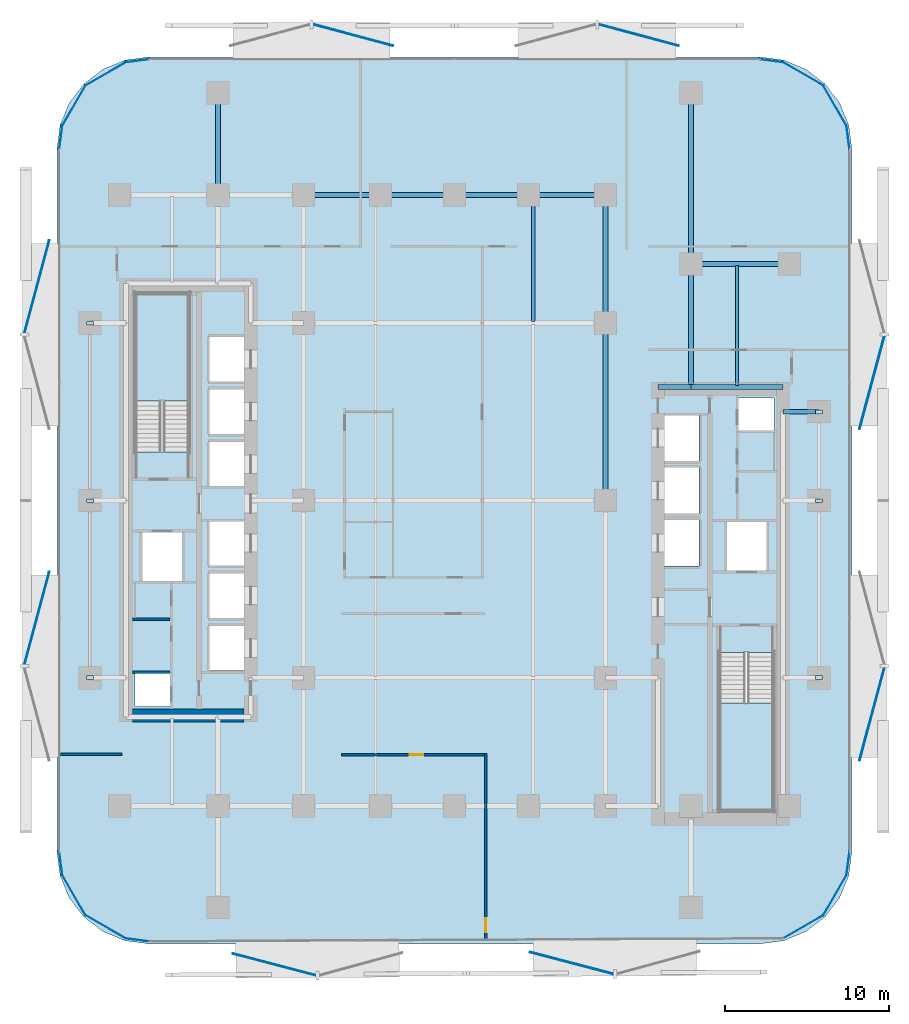
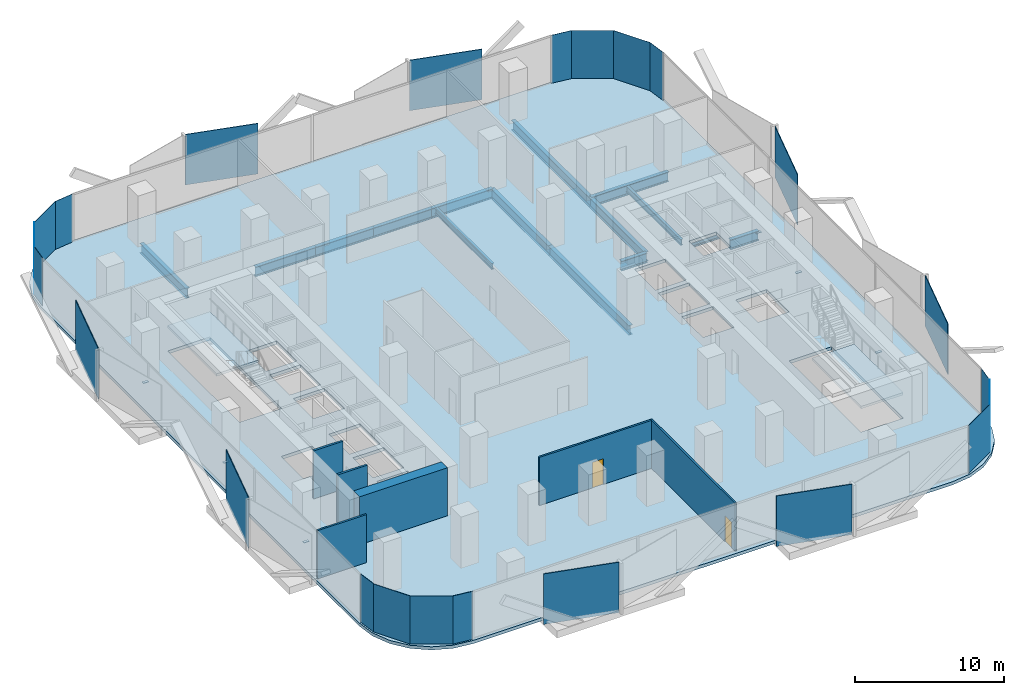
# One storey, part 2 of 15: 29 plates, 15 beams, 6 walls, 3 slabs, 2 doors, 2 openings, 2 elements without a shape of their own.
"""IFC4 building model written with IfcOpenShell, lengths in metres."""

from ifc_helpers import new_model, si_unit, direction, frame, frame_2d, origin, origin_2d, place, context, subcontext, project, spatial, polyline, rectangle, i_section, outline, extrude, material, layer, layer_set, material_profile, profile_set, type_object, element, fill, aggregate, save


model = new_model("IFC4")

# Units and contexts
model_context = context("Model", 3, precision=1e-05, world=origin(), true_north=direction((0.0, 1.0)))
body_context = subcontext(model_context, "Body", "Model", "MODEL_VIEW")
ifc_project = project(units=[si_unit("LENGTHUNIT", "METRE"), si_unit("AREAUNIT", "SQUARE_METRE"), si_unit("VOLUMEUNIT", "CUBIC_METRE"), si_unit("PLANEANGLEUNIT", "RADIAN"), si_unit("MASSUNIT", "GRAM", prefix="KILO")], contexts=[model_context])

# Site, building, storey
site_placement = place(None, origin())
site = spatial("IfcSite", under=ifc_project, at=site_placement, CompositionType="ELEMENT")
building_placement = place(site_placement, origin())
building = spatial("IfcBuilding", under=site, at=building_placement, Name="Khairoan Windgate Tower", CompositionType="ELEMENT")
storey_placement = place(building_placement, frame((0.0, 0.0, 72.199951171875)))
storey = spatial("IfcBuildingStorey", under=building, at=storey_placement, Name="L17", CompositionType="ELEMENT", Elevation=72.199951171875)

# Beams
ifc_material_1 = material(Name="Steel S355", Category="steel")
ifc_material_profile_1 = material_profile(ifc_material_1, i_section(OverallWidth=0.300048828125, OverallDepth=0.800048828125, WebThickness=0.013916015625, FlangeThickness=0.02587890625, FilletRadius=0.028076171875, at=origin_2d()))
ifc_profile_set_1 = profile_set([ifc_material_profile_1], Name="Steel S355")
beam_type_1 = type_object("IfcBeamType", Name="Beam B-G2 H800x300x14x26", PredefinedType="BEAM", material=ifc_profile_set_1)
beam_1_placement = place(storey_placement, frame((20.0, 5.39990234375, -0.659912109375), z_axis=(1.0, 0.0, 0.0), x_axis=(0.0, 1.0, 0.0)))
element("IfcBeam", 1, at=beam_1_placement, inside=storey, type_object=beam_type_1, Name="L17 E-W Primary Girder 19", PredefinedType="BEAM", context=body_context, shape_type="SweptSolid", body=[
    extrude(i_section(OverallWidth=0.300048828125, OverallDepth=0.800048828125, WebThickness=0.013916015625, FlangeThickness=0.02587890625, FilletRadius=0.028076171875, at=origin_2d()), origin(), (0.0, 0.0, 1.0), 2.199951171875),
])
beam_2_placement = place(storey_placement, frame((12.39990234375, 6.89990234375, -0.659912109375), z_axis=(1.0, 0.0, 0.0), x_axis=(0.0, 1.0, 0.0)))
element("IfcBeam", 2, at=beam_2_placement, inside=storey, type_object=beam_type_1, Name="L17 E-W Primary Girder 20", PredefinedType="BEAM", context=body_context, shape_type="SweptSolid", body=[
    extrude(i_section(OverallWidth=0.300048828125, OverallDepth=0.800048828125, WebThickness=0.013916015625, FlangeThickness=0.02587890625, FilletRadius=0.028076171875, at=origin_2d()), origin(), (0.0, 0.0, 1.0), 2.0),
])
beam_3_placement = place(storey_placement, frame((14.39990234375, 6.89990234375, -0.659912109375), z_axis=(1.0, 0.0, 0.0), x_axis=(0.0, 1.0, 0.0)))
element("IfcBeam", 3, at=beam_3_placement, inside=storey, type_object=beam_type_1, Name="L17 E-W Primary Girder 21", PredefinedType="BEAM", context=body_context, shape_type="SweptSolid", body=[
    extrude(i_section(OverallWidth=0.300048828125, OverallDepth=0.800048828125, WebThickness=0.013916015625, FlangeThickness=0.02587890625, FilletRadius=0.028076171875, at=origin_2d()), origin(), (0.0, 0.0, 1.0), 5.60009765625),
])
beam_4_placement = place(storey_placement, frame((14.39990234375, 14.39990234375, -0.659912109375), z_axis=(1.0, 0.0, 0.0), x_axis=(0.0, 1.0, 0.0)))
element("IfcBeam", 4, at=beam_4_placement, inside=storey, type_object=beam_type_1, Name="L17 E-W Primary Girder 27", PredefinedType="BEAM", context=body_context, shape_type="SweptSolid", body=[
    extrude(i_section(OverallWidth=0.300048828125, OverallDepth=0.800048828125, WebThickness=0.013916015625, FlangeThickness=0.02587890625, FilletRadius=0.028076171875, at=origin_2d()), origin(), (0.0, 0.0, 1.0), 6.0),
])
beam_5_placement = place(storey_placement, frame((-9.199951171875, 18.60009765625, -0.659912109375), z_axis=(1.0, 0.0, 0.0), x_axis=(0.0, 1.0, 0.0)))
element("IfcBeam", 5, at=beam_5_placement, inside=storey, type_object=beam_type_1, Name="L17 E-W Primary Girder 30", PredefinedType="BEAM", context=body_context, shape_type="SweptSolid", body=[
    extrude(i_section(OverallWidth=0.300048828125, OverallDepth=0.800048828125, WebThickness=0.013916015625, FlangeThickness=0.02587890625, FilletRadius=0.028076171875, at=origin_2d()), origin(), (0.0, 0.0, 1.0), 4.699951171875),
])
for number, where, z_axis, x_axis, name in (
    (6, (-4.5, 18.60009765625, -0.659912109375), (1.0, 0.0, 0.0), (0.0, 1.0, 0.0), "L17 E-W Primary Girder 31"),
    (7, (0.0, 18.60009765625, -0.659912109375), (1.0, 0.0, 0.0), (0.0, 1.0, 0.0), "L17 E-W Primary Girder 32"),
):
    element("IfcBeam", number, at=place(storey_placement, frame(where, z_axis=z_axis, x_axis=x_axis)), inside=storey, type_object=beam_type_1, Name=name, PredefinedType="BEAM", context=body_context, shape_type="SweptSolid", body=[
        extrude(i_section(OverallWidth=0.300048828125, OverallDepth=0.800048828125, WebThickness=0.013916015625, FlangeThickness=0.02587890625, FilletRadius=0.028076171875, at=origin_2d()), origin(), (0.0, 0.0, 1.0), 4.5),
    ])
beam_6_placement = place(storey_placement, frame((4.5, 18.60009765625, -0.659912109375), z_axis=(1.0, 0.0, 0.0), x_axis=(0.0, 1.0, 0.0)))
element("IfcBeam", 8, at=beam_6_placement, inside=storey, type_object=beam_type_1, Name="L17 E-W Primary Girder 33", PredefinedType="BEAM", context=body_context, shape_type="SweptSolid", body=[
    extrude(i_section(OverallWidth=0.300048828125, OverallDepth=0.800048828125, WebThickness=0.013916015625, FlangeThickness=0.02587890625, FilletRadius=0.028076171875, at=origin_2d()), origin(), (0.0, 0.0, 1.0), 4.699951171875),
])
beam_7_placement = place(storey_placement, frame((-14.39990234375, 18.60009765625, -0.659912109375), z_axis=(0.0, 1.0, 0.0), x_axis=(-1.0, 0.0, 0.0)))
element("IfcBeam", 9, at=beam_7_placement, inside=storey, type_object=beam_type_1, Name="L17 N-S Primary Beam 43", PredefinedType="BEAM", context=body_context, shape_type="SweptSolid", body=[
    extrude(i_section(OverallWidth=0.300048828125, OverallDepth=0.800048828125, WebThickness=0.013916015625, FlangeThickness=0.02587890625, FilletRadius=0.028076171875, at=origin_2d()), origin(), (0.0, 0.0, 1.0), 6.199951171875),
])
beam_8_placement = place(storey_placement, frame((9.199951171875, 0.0, -0.659912109375), z_axis=(0.0, 1.0, 0.0), x_axis=(-1.0, 0.0, 0.0)))
element("IfcBeam", 10, at=beam_8_placement, inside=storey, type_object=beam_type_1, Name="L17 N-S Primary Beam 52", PredefinedType="BEAM", context=body_context, shape_type="SweptSolid", body=[
    extrude(i_section(OverallWidth=0.300048828125, OverallDepth=0.800048828125, WebThickness=0.013916015625, FlangeThickness=0.02587890625, FilletRadius=0.028076171875, at=origin_2d()), origin(), (0.0, 0.0, 1.0), 10.800048828125),
])
beam_9_placement = place(storey_placement, frame((9.199951171875, 10.800048828125, -0.659912109375), z_axis=(0.0, 1.0, 0.0), x_axis=(-1.0, 0.0, 0.0)))
element("IfcBeam", 11, at=beam_9_placement, inside=storey, type_object=beam_type_1, Name="L17 N-S Primary Beam 53", PredefinedType="BEAM", context=body_context, shape_type="SweptSolid", body=[
    extrude(i_section(OverallWidth=0.300048828125, OverallDepth=0.800048828125, WebThickness=0.013916015625, FlangeThickness=0.02587890625, FilletRadius=0.028076171875, at=origin_2d()), origin(), (0.0, 0.0, 1.0), 7.800048828125),
])
beam_10_placement = place(storey_placement, frame((14.39990234375, 6.89990234375, -0.659912109375), z_axis=(0.0, 1.0, 0.0), x_axis=(-1.0, 0.0, 0.0)))
element("IfcBeam", 12, at=beam_10_placement, inside=storey, type_object=beam_type_1, Name="L17 N-S Primary Beam 56", PredefinedType="BEAM", context=body_context, shape_type="SweptSolid", body=[
    extrude(i_section(OverallWidth=0.300048828125, OverallDepth=0.800048828125, WebThickness=0.013916015625, FlangeThickness=0.02587890625, FilletRadius=0.028076171875, at=origin_2d()), origin(), (0.0, 0.0, 1.0), 7.5),
])
beam_11_placement = place(storey_placement, frame((14.39990234375, 14.39990234375, -0.659912109375), z_axis=(0.0, 1.0, 0.0), x_axis=(-1.0, 0.0, 0.0)))
element("IfcBeam", 13, at=beam_11_placement, inside=storey, type_object=beam_type_1, Name="L17 N-S Primary Beam 57", PredefinedType="BEAM", context=body_context, shape_type="SweptSolid", body=[
    extrude(i_section(OverallWidth=0.300048828125, OverallDepth=0.800048828125, WebThickness=0.013916015625, FlangeThickness=0.02587890625, FilletRadius=0.028076171875, at=origin_2d()), origin(), (0.0, 0.0, 1.0), 10.400146484375),
])
ifc_material_2 = material(Name="Steel S355", Category="steel")
ifc_material_profile_2 = material_profile(ifc_material_2, i_section(OverallWidth=0.199951171875, OverallDepth=0.5, WebThickness=0.010009765625, FlangeThickness=0.01611328125, FilletRadius=0.02001953125, at=origin_2d()))
ifc_profile_set_2 = profile_set([ifc_material_profile_2], Name="Steel S355")
beam_type_2 = type_object("IfcBeamType", Name="Beam J-S2 H500x200x10x16", PredefinedType="JOIST", material=ifc_profile_set_2)
beam_12_placement = place(storey_placement, frame((4.800048828125, 10.889892578125, -0.510009765625), z_axis=(0.0, 1.0, 0.0), x_axis=(-1.0, 0.0, 0.0)))
element("IfcBeam", 14, at=beam_12_placement, inside=storey, type_object=beam_type_2, Name="L17 Secondary Floor Joist 10", PredefinedType="JOIST", context=body_context, shape_type="SweptSolid", body=[
    extrude(i_section(OverallWidth=0.199951171875, OverallDepth=0.5, WebThickness=0.010009765625, FlangeThickness=0.01611328125, FilletRadius=0.02001953125, at=origin_2d()), origin(), (0.0, 0.0, 1.0), 7.6201171875),
])
beam_13_placement = place(storey_placement, frame((17.199951171875, 6.989990234375, -0.510009765625), z_axis=(0.0, 1.0, 0.0), x_axis=(-1.0, 0.0, 0.0)))
element("IfcBeam", 15, at=beam_13_placement, inside=storey, type_object=beam_type_2, Name="L17 Secondary Floor Joist 11", PredefinedType="JOIST", context=body_context, shape_type="SweptSolid", body=[
    extrude(i_section(OverallWidth=0.199951171875, OverallDepth=0.5, WebThickness=0.010009765625, FlangeThickness=0.01611328125, FilletRadius=0.02001953125, at=origin_2d()), origin(), (0.0, 0.0, 1.0), 7.320068359375),
])

# Plates
ifc_material_3 = material(Name="Low-E Solar Control Laminated Glass", Category="glass")
ifc_layer_1 = layer(ifc_material_3, 0.030029296875, Name="Low-E Solar Control Laminated Glass")
ifc_layer_set_1 = layer_set([ifc_layer_1], Name="Low-E Solar Control Laminated Glass")
plate_type_1 = type_object("IfcPlateType", Name="Aerodynamic Wind-Corner Curved Glazing Plate", PredefinedType="USERDEFINED", material=ifc_layer_set_1)
plate_placement = place(storey_placement, frame((-19.302001953125, -26.766357421875, 0.0), z_axis=(0.0, 0.0, 1.0), x_axis=(-0.991444861374, 0.13052619222, 0.0)))
element("IfcPlate", 16, at=plate_placement, inside=storey, type_object=plate_type_1, Name="L17 Aerodynamic Wind-Corner Curved Glazing Panel 2", ObjectType="GLAZING PANEL", PredefinedType="USERDEFINED", context=body_context, shape_type="SweptSolid", body=[
    extrude(rectangle(XDim=1.474365234375, YDim=0.028076171875, at=origin_2d()), origin(), (0.0, 0.0, 1.0), 3.93994140625),
])
for number, where, z_axis, x_axis, name in (
    (17, (-21.236328125, -25.96630859375, 0.0), (0.0, 0.0, 1.0), (-0.866025403784, 0.5, 0.0), "L17 Aerodynamic Wind-Corner Curved Glazing Panel 3"),
    (18, (-23.16650390625, -24.03662109375, 0.0), (0.0, 0.0, 1.0), (-0.5, 0.866025403784, 0.0), "L17 Aerodynamic Wind-Corner Curved Glazing Panel 4"),
):
    element("IfcPlate", number, at=place(storey_placement, frame(where, z_axis=z_axis, x_axis=x_axis)), inside=storey, type_object=plate_type_1, Name=name, ObjectType="GLAZING PANEL", PredefinedType="USERDEFINED", context=body_context, shape_type="SweptSolid", body=[
        extrude(rectangle(XDim=2.86572265625, YDim=0.028076171875, at=origin_2d()), origin(), (0.0, 0.0, 1.0), 3.93994140625),
    ])
for number, where, z_axis, x_axis, name in (
    (19, (-23.96630859375, -22.101806640625, 0.0), (0.0, 0.0, 1.0), (-0.13052619222, 0.991444861374, 0.0), "L17 Aerodynamic Wind-Corner Curved Glazing Panel 5"),
    (20, (-23.96630859375, 22.101806640625, 0.0), (0.0, 0.0, 1.0), (0.13052619222, 0.991444861374, 0.0), "L17 Aerodynamic Wind-Corner Curved Glazing Panel 7"),
):
    element("IfcPlate", number, at=place(storey_placement, frame(where, z_axis=z_axis, x_axis=x_axis)), inside=storey, type_object=plate_type_1, Name=name, ObjectType="GLAZING PANEL", PredefinedType="USERDEFINED", context=body_context, shape_type="SweptSolid", body=[
        extrude(rectangle(XDim=1.474365234375, YDim=0.028076171875, at=origin_2d()), origin(), (0.0, 0.0, 1.0), 3.93994140625),
    ])
for number, where, z_axis, x_axis, name in (
    (21, (-23.16650390625, 24.03662109375, 0.0), (0.0, 0.0, 1.0), (0.5, 0.866025403784, 0.0), "L17 Aerodynamic Wind-Corner Curved Glazing Panel 8"),
    (22, (-21.236328125, 25.96630859375, 0.0), (0.0, 0.0, 1.0), (0.866025403784, 0.5, 0.0), "L17 Aerodynamic Wind-Corner Curved Glazing Panel 9"),
):
    element("IfcPlate", number, at=place(storey_placement, frame(where, z_axis=z_axis, x_axis=x_axis)), inside=storey, type_object=plate_type_1, Name=name, ObjectType="GLAZING PANEL", PredefinedType="USERDEFINED", context=body_context, shape_type="SweptSolid", body=[
        extrude(rectangle(XDim=2.86572265625, YDim=0.028076171875, at=origin_2d()), origin(), (0.0, 0.0, 1.0), 3.93994140625),
    ])
for number, where, z_axis, x_axis, name in (
    (23, (-19.302001953125, 26.766357421875, 0.0), (0.0, 0.0, 1.0), (0.991444861374, 0.13052619222, 0.0), "L17 Aerodynamic Wind-Corner Curved Glazing Panel 10"),
    (24, (19.302001953125, 26.766357421875, 0.0), (0.0, 0.0, 1.0), (0.991444861374, -0.13052619222, 0.0), "L17 Aerodynamic Wind-Corner Curved Glazing Panel 12"),
):
    element("IfcPlate", number, at=place(storey_placement, frame(where, z_axis=z_axis, x_axis=x_axis)), inside=storey, type_object=plate_type_1, Name=name, ObjectType="GLAZING PANEL", PredefinedType="USERDEFINED", context=body_context, shape_type="SweptSolid", body=[
        extrude(rectangle(XDim=1.474365234375, YDim=0.028076171875, at=origin_2d()), origin(), (0.0, 0.0, 1.0), 3.93994140625),
    ])
for number, where, z_axis, x_axis, name in (
    (25, (21.236328125, 25.96630859375, 0.0), (0.0, 0.0, 1.0), (0.866025403784, -0.5, 0.0), "L17 Aerodynamic Wind-Corner Curved Glazing Panel 13"),
    (26, (23.16650390625, 24.03662109375, 0.0), (0.0, 0.0, 1.0), (0.5, -0.866025403784, 0.0), "L17 Aerodynamic Wind-Corner Curved Glazing Panel 14"),
):
    element("IfcPlate", number, at=place(storey_placement, frame(where, z_axis=z_axis, x_axis=x_axis)), inside=storey, type_object=plate_type_1, Name=name, ObjectType="GLAZING PANEL", PredefinedType="USERDEFINED", context=body_context, shape_type="SweptSolid", body=[
        extrude(rectangle(XDim=2.86572265625, YDim=0.028076171875, at=origin_2d()), origin(), (0.0, 0.0, 1.0), 3.93994140625),
    ])
for number, where, z_axis, x_axis, name in (
    (27, (23.96630859375, 22.101806640625, 0.0), (0.0, 0.0, 1.0), (0.13052619222, -0.991444861374, 0.0), "L17 Aerodynamic Wind-Corner Curved Glazing Panel 15"),
    (28, (23.96630859375, -22.101806640625, 0.0), (0.0, 0.0, 1.0), (-0.13052619222, -0.991444861374, 0.0), "L17 Aerodynamic Wind-Corner Curved Glazing Panel 17"),
):
    element("IfcPlate", number, at=place(storey_placement, frame(where, z_axis=z_axis, x_axis=x_axis)), inside=storey, type_object=plate_type_1, Name=name, ObjectType="GLAZING PANEL", PredefinedType="USERDEFINED", context=body_context, shape_type="SweptSolid", body=[
        extrude(rectangle(XDim=1.474365234375, YDim=0.028076171875, at=origin_2d()), origin(), (0.0, 0.0, 1.0), 3.93994140625),
    ])
for number, where, z_axis, x_axis, name in (
    (29, (23.16650390625, -24.03662109375, 0.0), (0.0, 0.0, 1.0), (-0.5, -0.866025403784, 0.0), "L17 Aerodynamic Wind-Corner Curved Glazing Panel 18"),
    (30, (21.236328125, -25.96630859375, 0.0), (0.0, 0.0, 1.0), (-0.866025403784, -0.5, 0.0), "L17 Aerodynamic Wind-Corner Curved Glazing Panel 19"),
):
    element("IfcPlate", number, at=place(storey_placement, frame(where, z_axis=z_axis, x_axis=x_axis)), inside=storey, type_object=plate_type_1, Name=name, ObjectType="GLAZING PANEL", PredefinedType="USERDEFINED", context=body_context, shape_type="SweptSolid", body=[
        extrude(rectangle(XDim=2.86572265625, YDim=0.028076171875, at=origin_2d()), origin(), (0.0, 0.0, 1.0), 3.93994140625),
    ])
ifc_material_4 = material(Name="Steel S355", Category="steel")
ifc_layer_2 = layer(ifc_material_4, 0.0400390625, Name="Steel S355")
ifc_layer_set_2 = layer_set([ifc_layer_2], Name="Steel S355")
plate_type_2 = type_object("IfcPlateType", Name="Hollow Section End-Cap Plate PL-CAP40", PredefinedType="SHEET", material=ifc_layer_set_2)
for number, where, z_axis, x_axis, name in (
    (31, (-22.199951171875, -10.784912109375, -0.47998046875), (0.0, 0.0, 1.0), (0.0, 1.0, 0.0), "BM-SP-L17-034 steel end-cap plate 1"),
    (32, (-22.199951171875, -0.014892578125, -0.47998046875), (0.0, 0.0, 1.0), (0.0, 1.0, 0.0), "BM-SP-L17-034 steel end-cap plate 2"),
    (33, (-22.199951171875, 10.784912109375, -0.47998046875), (0.0, 0.0, 1.0), (0.0, 1.0, 0.0), "BM-SP-L17-035 steel end-cap plate 2"),
    (34, (22.199951171875, -10.784912109375, -0.47998046875), (0.0, 0.0, 1.0), (0.0, 1.0, 0.0), "BM-SP-L17-061 steel end-cap plate 1"),
    (35, (22.199951171875, -0.014892578125, -0.47998046875), (0.0, 0.0, 1.0), (0.0, 1.0, 0.0), "BM-SP-L17-061 steel end-cap plate 2"),
    (36, (22.199951171875, 5.385009765625, -0.47998046875), (0.0, 0.0, 1.0), (0.0, 1.0, 0.0), "BM-SP-L17-062 steel end-cap plate 2"),
):
    element("IfcPlate", number, at=place(storey_placement, frame(where, z_axis=z_axis, x_axis=x_axis)), inside=storey, type_object=plate_type_2, Name=name, PredefinedType="SHEET", context=body_context, shape_type="SweptSolid", body=[
        extrude(rectangle(XDim=0.219970703125, YDim=0.419921875, at=origin_2d()), origin(), (0.0, 0.0, 1.0), 0.0400390625),
    ])
ifc_material_5 = material(Name="Anodised Bronze Aluminium 6063-T6", Category="aluminium")
ifc_layer_3 = layer(ifc_material_5, 0.054931640625, Name="Anodised Bronze Aluminium 6063-T6")
ifc_layer_set_3 = layer_set([ifc_layer_3], Name="Anodised Bronze Aluminium 6063-T6")
plate_type_3 = type_object("IfcPlateType", Name="Perforated Bronze Solar Screen Panel BSP-1", PredefinedType="USERDEFINED", material=ifc_layer_set_3)
for number, where, z_axis, x_axis, name in (
    (37, (7.143310546875, -28.17578125, -0.10009765625), (0.0, 0.0, 1.0), (-0.967179115616, 0.254095569259, 0.0), "L17 Perforated Bronze Solar Screen Panel 89R"),
    (38, (-10.95849609375, -28.263671875, -0.10009765625), (0.0, 0.0, 1.0), (-0.967179115616, 0.254095569259, 0.0), "L17 Perforated Bronze Solar Screen Panel 90R"),
):
    element("IfcPlate", number, at=place(storey_placement, frame(where, z_axis=z_axis, x_axis=x_axis)), inside=storey, type_object=plate_type_3, Name=name, ObjectType="SCREEN", PredefinedType="USERDEFINED", context=body_context, shape_type="SweptSolid", body=[
        extrude(rectangle(XDim=5.25, YDim=0.054931640625, at=origin_2d()), origin(), (0.0, 0.0, 1.0), 4.139892578125),
    ])
for number, where, z_axis, x_axis, name in (
    (39, (-25.42236328125, -7.177734375, -0.10009765625), (0.0, 0.0, 1.0), (0.258819045103, 0.965925826289, 0.0), "L17 Perforated Bronze Solar Screen Panel 91R"),
    (40, (-25.42236328125, 13.01318359375, -0.10009765625), (0.0, 0.0, 1.0), (0.258819045103, 0.965925826289, 0.0), "L17 Perforated Bronze Solar Screen Panel 92R"),
):
    element("IfcPlate", number, at=place(storey_placement, frame(where, z_axis=z_axis, x_axis=x_axis)), inside=storey, type_object=plate_type_3, Name=name, ObjectType="SCREEN", PredefinedType="USERDEFINED", context=body_context, shape_type="SweptSolid", body=[
        extrude(rectangle(XDim=5.85498046875, YDim=0.054931640625, at=origin_2d()), origin(), (0.0, 0.0, 1.0), 4.139892578125),
    ])
for number, where, z_axis, x_axis, name in (
    (41, (-6.169921875, 28.327392578125, -0.10009765625), (0.0, 0.0, 1.0), (0.965925826289, -0.258819045103, 0.0), "L17 Perforated Bronze Solar Screen Panel 93R"),
    (42, (11.220947265625, 28.327392578125, -0.10009765625), (0.0, 0.0, 1.0), (0.965925826289, -0.258819045103, 0.0), "L17 Perforated Bronze Solar Screen Panel 94R"),
):
    element("IfcPlate", number, at=place(storey_placement, frame(where, z_axis=z_axis, x_axis=x_axis)), inside=storey, type_object=plate_type_3, Name=name, ObjectType="SCREEN", PredefinedType="USERDEFINED", context=body_context, shape_type="SweptSolid", body=[
        extrude(rectangle(XDim=5.04296875, YDim=0.054931640625, at=origin_2d()), origin(), (0.0, 0.0, 1.0), 4.139892578125),
    ])
for number, where, z_axis, x_axis, name in (
    (43, (25.42236328125, 7.177734375, -0.10009765625), (0.0, 0.0, 1.0), (-0.258819045103, -0.965925826289, 0.0), "L17 Perforated Bronze Solar Screen Panel 95R"),
    (44, (25.42236328125, -13.01318359375, -0.10009765625), (0.0, 0.0, 1.0), (-0.258819045103, -0.965925826289, 0.0), "L17 Perforated Bronze Solar Screen Panel 96R"),
):
    element("IfcPlate", number, at=place(storey_placement, frame(where, z_axis=z_axis, x_axis=x_axis)), inside=storey, type_object=plate_type_3, Name=name, ObjectType="SCREEN", PredefinedType="USERDEFINED", context=body_context, shape_type="SweptSolid", body=[
        extrude(rectangle(XDim=5.85498046875, YDim=0.054931640625, at=origin_2d()), origin(), (0.0, 0.0, 1.0), 4.139892578125),
    ])

# Stair, slab
ifc_material_6 = material(Name="Concrete C40/50", Category="concrete")
stair_type = type_object("IfcStairType", Name="Tower Core Dog-Leg Stair ST-T1 1560mm", PredefinedType="HALF_TURN_STAIR", material=ifc_material_6)
stair_1_placement = place(storey_placement, origin())
stair_1 = element("IfcStair", 45, at=stair_1_placement, inside=storey, type_object=stair_type, Name="L17 Stair ST1", PredefinedType="HALF_TURN_STAIR")
ifc_material_7 = material(Name="Concrete C40/50", Category="concrete")
ifc_layer_4 = layer(ifc_material_7, 0.199951171875, Name="Concrete C40/50")
ifc_layer_set_4 = layer_set([ifc_layer_4], Name="Concrete C40/50")
slab_type_1 = type_object("IfcSlabType", Name="Reinforced Concrete Stair Landing Slab STL-200", PredefinedType="LANDING", material=ifc_layer_set_4)
slab_1_placement = place(storey_placement, frame((0.0, 0.0, 1.900146484375)))
slab_1 = element("IfcSlab", 46, at=slab_1_placement, type_object=slab_type_1, Name="ST1 landing 1", PredefinedType="LANDING", context=body_context, shape_type="SweptSolid", body=[
    extrude(outline(polyline([(16.14990234375, -12.340087890625), (16.14990234375, -18.89990234375), (19.419921875, -18.89990234375), (19.419921875, -12.340087890625), (16.14990234375, -12.340087890625)])), origin(), (0.0, 0.0, 1.0), 0.199951171875),
])
aggregate(stair_1, [slab_1])

stair_2_placement = place(storey_placement, origin())
stair_2 = element("IfcStair", 47, at=stair_2_placement, inside=storey, type_object=stair_type, Name="L17 Stair ST2", PredefinedType="HALF_TURN_STAIR")
slab_2_placement = place(storey_placement, frame((0.0, 0.0, 1.900146484375)))
slab_2 = element("IfcSlab", 48, at=slab_2_placement, type_object=slab_type_1, Name="ST2 landing 1", PredefinedType="LANDING", context=body_context, shape_type="SweptSolid", body=[
    extrude(outline(polyline([(-16.14990234375, 6.0400390625), (-16.14990234375, 12.60009765625), (-19.419921875, 12.60009765625), (-19.419921875, 6.0400390625), (-16.14990234375, 6.0400390625)])), origin(), (0.0, 0.0, 1.0), 0.199951171875),
])
aggregate(stair_2, [slab_2])

# Slab
ifc_material_8 = material(Name="Concrete C40/50", Category="concrete")
ifc_layer_5 = layer(ifc_material_8, 0.260009765625, Name="Concrete C40/50")
ifc_layer_set_5 = layer_set([ifc_layer_5], Name="Concrete C40/50")
slab_type_2 = type_object("IfcSlabType", Name="Tower Composite Floor Slab FS2 260mm", PredefinedType="FLOOR", material=ifc_layer_set_5)
slab_3_placement = place(storey_placement, frame((0.0, 0.0, -0.260009765625)))
element("IfcSlab", 49, at=slab_3_placement, inside=storey, type_object=slab_type_2, Name="L17 Structural Floor Slab", PredefinedType="FLOOR", context=body_context, shape_type="SweptSolid", body=[
    extrude(outline(polyline([(18.60009765625, -27.0), (20.04931640625, -26.80908203125), (21.39990234375, -26.249755859375), (22.559814453125, -25.35986328125), (23.44970703125, -24.199951171875), (24.00927734375, -22.849365234375), (24.199951171875, -21.39990234375), (24.199951171875, 21.39990234375), (24.00927734375, 22.849365234375), (23.44970703125, 24.199951171875), (22.559814453125, 25.35986328125), (21.39990234375, 26.249755859375), (20.04931640625, 26.80908203125), (18.60009765625, 27.0), (-18.60009765625, 27.0), (-20.04931640625, 26.80908203125), (-21.39990234375, 26.249755859375), (-22.559814453125, 25.35986328125), (-23.44970703125, 24.199951171875), (-24.00927734375, 22.849365234375), (-24.199951171875, 21.39990234375), (-24.199951171875, -21.39990234375), (-24.00927734375, -22.849365234375), (-23.44970703125, -24.199951171875), (-22.559814453125, -25.35986328125), (-21.39990234375, -26.249755859375), (-20.04931640625, -26.80908203125), (-18.60009765625, -27.0), (18.60009765625, -27.0)]), holes=[polyline([(16.14990234375, -9.260009765625), (16.14990234375, -18.89990234375), (19.419921875, -18.89990234375), (19.419921875, -9.260009765625), (16.14990234375, -9.260009765625)]), polyline([(-16.14990234375, 2.9599609375), (-16.14990234375, 12.60009765625), (-19.419921875, 12.60009765625), (-19.419921875, 2.9599609375), (-16.14990234375, 2.9599609375)]), polyline([(-14.89990234375, 7.25), (-12.5, 7.25), (-12.5, 9.949951171875), (-14.89990234375, 9.949951171875), (-14.89990234375, 7.25)]), polyline([(-14.89990234375, 4.050048828125), (-12.5, 4.050048828125), (-12.5, 6.75), (-14.89990234375, 6.75), (-14.89990234375, 4.050048828125)]), polyline([(-14.89990234375, 0.85009765625), (-12.5, 0.85009765625), (-12.5, 3.550048828125), (-14.89990234375, 3.550048828125), (-14.89990234375, 0.85009765625)]), polyline([(-14.89990234375, -3.949951171875), (-12.5, -3.949951171875), (-12.5, -1.25), (-14.89990234375, -1.25), (-14.89990234375, -3.949951171875)]), polyline([(-14.89990234375, -7.14990234375), (-12.5, -7.14990234375), (-12.5, -4.449951171875), (-14.89990234375, -4.449951171875), (-14.89990234375, -7.14990234375)]), polyline([(-14.89990234375, -10.35009765625), (-12.5, -10.35009765625), (-12.5, -7.64990234375), (-14.89990234375, -7.64990234375), (-14.89990234375, -10.35009765625)]), polyline([(12.5, 2.39990234375), (14.89990234375, 2.39990234375), (14.89990234375, 5.199951171875), (12.5, 5.199951171875), (12.5, 2.39990234375)]), polyline([(12.5, -0.800048828125), (14.89990234375, -0.800048828125), (14.89990234375, 2.0), (12.5, 2.0), (12.5, -0.800048828125)]), polyline([(12.5, -4.0), (14.89990234375, -4.0), (14.89990234375, -1.199951171875), (12.5, -1.199951171875), (12.5, -4.0)]), polyline([(16.60009765625, -4.300048828125), (19.0, -4.300048828125), (19.0, -1.300048828125), (16.60009765625, -1.300048828125), (16.60009765625, -4.300048828125)]), polyline([(-19.0, -4.89990234375), (-16.60009765625, -4.89990234375), (-16.60009765625, -1.89990234375), (-19.0, -1.89990234375), (-19.0, -4.89990234375)]), polyline([(-19.449951171875, -12.550048828125), (-17.31005859375, -12.550048828125), (-17.31005859375, -10.550048828125), (-19.449951171875, -10.550048828125), (-19.449951171875, -12.550048828125)]), polyline([(17.31005859375, 4.25), (19.449951171875, 4.25), (19.449951171875, 6.25), (17.31005859375, 6.25), (17.31005859375, 4.25)])]), origin(), (0.0, 0.0, 1.0), 0.260009765625),
])

# Wall
ifc_material_9 = material(Name="Acoustic Fire-Rated Gypsum Partition", Category="gypsum")
ifc_layer_6 = layer(ifc_material_9, 0.139892578125, Name="Acoustic Fire-Rated Gypsum Partition")
ifc_layer_set_6 = layer_set([ifc_layer_6], Name="Acoustic Fire-Rated Gypsum Partition")
wall_type_1 = type_object("IfcWallType", Name="Inter-Tenancy Compartment Wall", PredefinedType="PARTITIONING", material=ifc_layer_set_6)
wall_1_placement = place(storey_placement, frame((-24.054931640625, -15.4599609375, 0.0), z_axis=(0.0, 0.0, 1.0), x_axis=(1.0, 0.0, 0.0)))
element("IfcWall", 50, at=wall_1_placement, inside=storey, type_object=wall_type_1, Name="L17 Interior Partition 025", PredefinedType="PARTITIONING", context=body_context, shape_type="SweptSolid", body=[
    extrude(rectangle(XDim=3.81494140625, YDim=0.139892578125, at=frame_2d((1.907470703125, 0.0))), origin(), (0.0, 0.0, 1.0), 3.93994140625),
])

# Wall, opening, door
wall_2_placement = place(storey_placement, frame((1.904052734375, -26.755615234375, 0.0), z_axis=(0.0, 0.0, 1.0), x_axis=(0.0, 1.0, 0.0)))
wall_2 = element("IfcWall", 51, at=wall_2_placement, inside=storey, type_object=wall_type_1, Name="L17 Interior Partition 031", PredefinedType="PARTITIONING", context=body_context, shape_type="SweptSolid", body=[
    extrude(rectangle(XDim=11.345703125, YDim=0.139892578125, at=frame_2d((5.6728515625, 0.0))), origin(), (0.0, 0.0, 1.0), 3.93994140625),
])
opening_1_placement = place(wall_2_placement, frame((0.4599609375, 0.0, 0.0)))
opening_1 = element("IfcOpeningElement", 52, at=opening_1_placement, cuts=wall_2, Name="Opening FD-SRV", PredefinedType="OPENING", context=body_context, shape_type="SweptSolid", body=[
    extrude(rectangle(XDim=0.85009765625, YDim=2.10009765625, at=frame_2d((0.425048828125, 1.050048828125))), frame((0.0, 0.079833984375, 0.0), z_axis=(0.0, -1.0, 0.0), x_axis=(1.0, 0.0, 0.0)), (0.0, 0.0, 1.0), 0.159912109375),
])
ifc_material_10 = material(Name="Steel S355", Category="steel")
door_type = type_object("IfcDoorType", Name="Core Service and Riser Fire Door FD-SRV 850x2100", OperationType="NOTDEFINED", PredefinedType="DOOR", material=ifc_material_10)
door_1_placement = place(opening_1_placement, origin())
door_1 = element("IfcDoor", 53, at=door_1_placement, inside=storey, type_object=door_type, Name="L17 L17-42-L17-43 Door", OperationType="SINGLE_SWING_RIGHT", OverallHeight=2.10009765625, OverallWidth=0.85009765625, PredefinedType="DOOR", context=body_context, shape_type="SweptSolid", body=[
    extrude(rectangle(XDim=0.85009765625, YDim=2.10009765625, at=frame_2d((0.425048828125, 1.050048828125))), frame((0.0, 0.02490234375, 0.0), z_axis=(0.0, -1.0, 0.0), x_axis=(1.0, 0.0, 0.0)), (0.0, 0.0, 1.0), 0.050048828125),
])
fill(opening_1, door_1)

wall_3_placement = place(storey_placement, frame((-6.860107421875, -15.47998046875, 0.0), z_axis=(0.0, 0.0, 1.0), x_axis=(1.0, 0.0, 0.0)))
wall_3 = element("IfcWall", 54, at=wall_3_placement, inside=storey, type_object=wall_type_1, Name="L17 Interior Partition 032", PredefinedType="PARTITIONING", context=body_context, shape_type="SweptSolid", body=[
    extrude(rectangle(XDim=8.694091796875, YDim=0.139892578125, at=frame_2d((4.34716796875, 0.0))), origin(), (0.0, 0.0, 1.0), 3.93994140625),
])
opening_2_placement = place(wall_3_placement, frame((4.12548828125, 0.0, 0.0)))
opening_2 = element("IfcOpeningElement", 55, at=opening_2_placement, cuts=wall_3, Name="Opening FD-SRV", PredefinedType="OPENING", context=body_context, shape_type="SweptSolid", body=[
    extrude(rectangle(XDim=0.85009765625, YDim=2.10009765625, at=frame_2d((0.425048828125, 1.050048828125))), frame((0.0, 0.079833984375, 0.0), z_axis=(0.0, -1.0, 0.0), x_axis=(1.0, 0.0, 0.0)), (0.0, 0.0, 1.0), 0.159912109375),
])
door_2_placement = place(opening_2_placement, origin())
door_2 = element("IfcDoor", 56, at=door_2_placement, inside=storey, type_object=door_type, Name="L17 L17-42-L17-47 Door", OperationType="SINGLE_SWING_LEFT", OverallHeight=2.10009765625, OverallWidth=0.85009765625, PredefinedType="DOOR", context=body_context, shape_type="SweptSolid", body=[
    extrude(rectangle(XDim=0.85009765625, YDim=2.10009765625, at=frame_2d((0.425048828125, 1.050048828125))), frame((0.0, 0.02490234375, 0.0), z_axis=(0.0, -1.0, 0.0), x_axis=(1.0, 0.0, 0.0)), (0.0, 0.0, 1.0), 0.050048828125),
])
fill(opening_2, door_2)

# Walls
ifc_material_11 = material(Name="Concrete C40/50", Category="concrete")
ifc_layer_7 = layer(ifc_material_11, 0.159912109375, Name="Concrete C40/50")
ifc_layer_set_7 = layer_set([ifc_layer_7], Name="Concrete C40/50")
wall_type_2 = type_object("IfcWallType", Name="Plant and Refuge Compartment Wall", PredefinedType="PARTITIONING", material=ifc_layer_set_7)
for number, where, z_axis, x_axis, name in (
    (57, (-19.60009765625, -10.469970703125, 0.0), (0.0, 0.0, 1.0), (1.0, 0.0, 0.0), "L17 Interior Partition 004"),
    (58, (-19.60009765625, -7.22998046875, 0.0), (0.0, 0.0, 1.0), (1.0, 0.0, 0.0), "L17 Interior Partition 005"),
):
    element("IfcWall", number, at=place(storey_placement, frame(where, z_axis=z_axis, x_axis=x_axis)), inside=storey, type_object=wall_type_2, Name=name, PredefinedType="PARTITIONING", context=body_context, shape_type="SweptSolid", body=[
        extrude(rectangle(XDim=2.2900390625, YDim=0.159912109375, at=frame_2d((1.14501953125, 0.0))), origin(), (0.0, 0.0, 1.0), 3.93994140625),
    ])
ifc_material_12 = material(Name="Concrete C70/85", Category="concrete")
ifc_layer_8 = layer(ifc_material_12, 0.800048828125, Name="Concrete C70/85")
ifc_layer_set_8 = layer_set([ifc_layer_8], Name="Concrete C70/85")
wall_type_3 = type_object("IfcWallType", Name="Shear Wall CW-W1 800mm", PredefinedType="SHEAR", material=ifc_layer_set_8)
wall_4_placement = place(storey_placement, frame((-19.60009765625, -13.10009765625, 0.0), z_axis=(0.0, 0.0, 1.0), x_axis=(1.0, 0.0, 0.0)))
element("IfcWall", 59, at=wall_4_placement, inside=storey, type_object=wall_type_3, Name="W Core South Shear Wall L17", PredefinedType="SHEAR", context=body_context, shape_type="SweptSolid", body=[
    extrude(rectangle(XDim=6.800048828125, YDim=0.800048828125, at=frame_2d((3.39990234375, 0.0))), origin(), (0.0, 0.0, 1.0), 3.93994140625),
])

save(model, "model.ifc")
